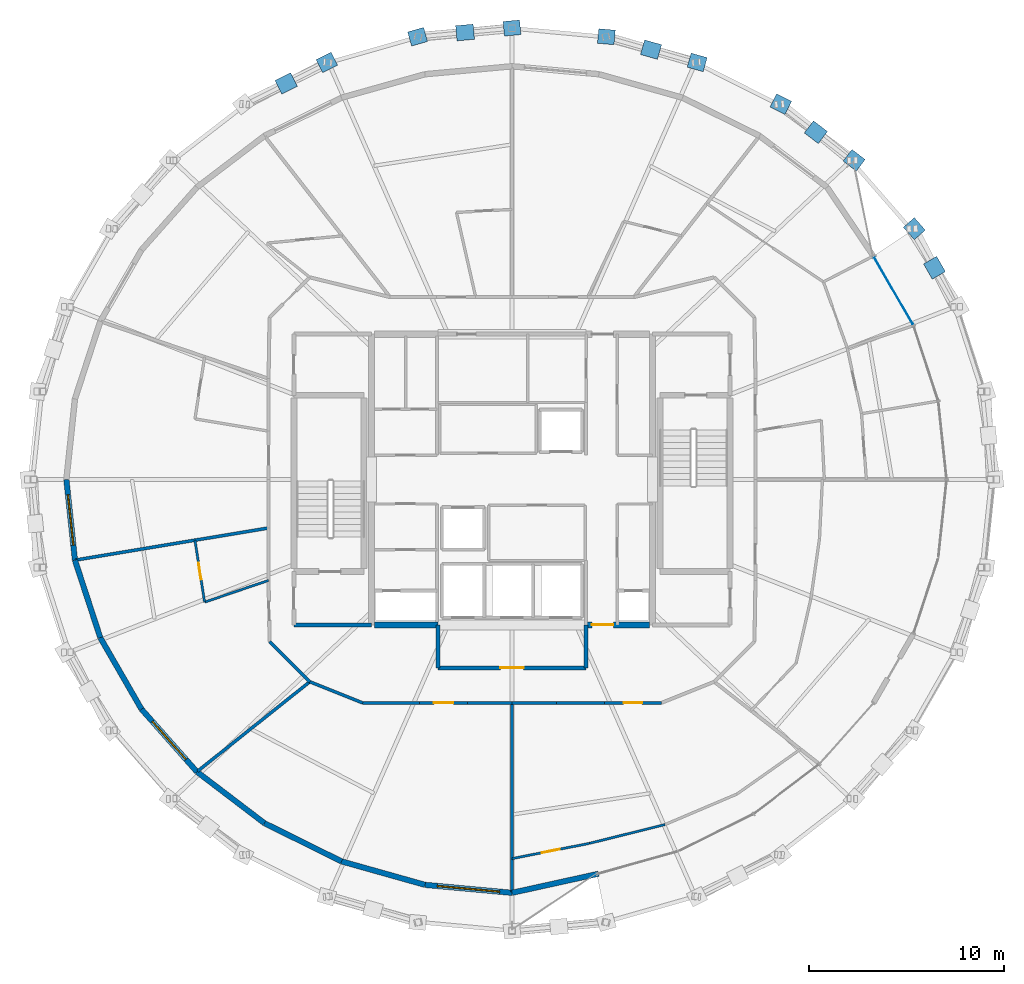
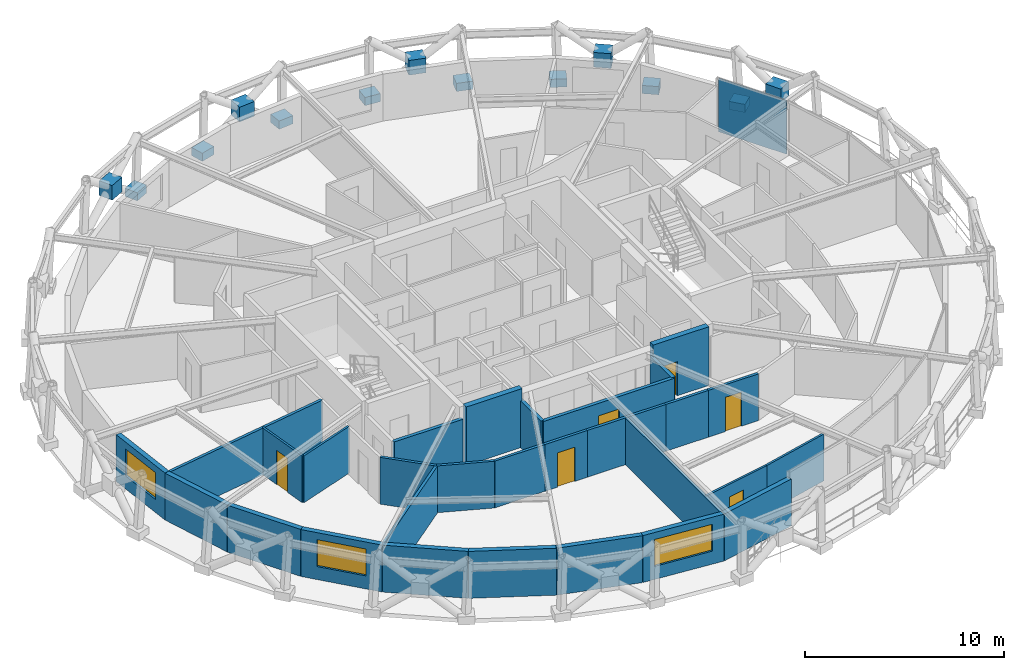
# One storey, part 12 of 17: 30 walls, 14 plates, 6 doors, 3 windows, 9 openings, 1 element without a shape of its own.
"""IFC4 building model written with IfcOpenShell, lengths in metres."""

from ifc_helpers import new_model, si_unit, direction, frame, frame_2d, origin, origin_2d, place, context, subcontext, project, spatial, rectangle, extrude, material, layer, layer_set, type_object, element, fill, aggregate, save


model = new_model("IFC4")

# Units and contexts
model_context = context("Model", 3, precision=1e-05, world=origin(), true_north=direction((0.0, 1.0)))
body_context = subcontext(model_context, "Body", "Model", "MODEL_VIEW")
ifc_project = project(units=[si_unit("LENGTHUNIT", "METRE"), si_unit("AREAUNIT", "SQUARE_METRE"), si_unit("VOLUMEUNIT", "CUBIC_METRE"), si_unit("PLANEANGLEUNIT", "RADIAN"), si_unit("MASSUNIT", "GRAM", prefix="KILO")], contexts=[model_context])

# Site, building, storey
site_placement = place(None, origin())
site = spatial("IfcSite", under=ifc_project, at=site_placement, CompositionType="ELEMENT")
building_placement = place(site_placement, origin())
building = spatial("IfcBuilding", under=site, at=building_placement, Name="Veldorina Hangang Commons", CompositionType="ELEMENT")
storey_placement = place(building_placement, frame((0.0, 0.0, 225.60009765625)))
storey = spatial("IfcBuildingStorey", under=building, at=storey_placement, Name="L58", CompositionType="ELEMENT", Elevation=225.60009765625)

# Curtain wall, plate
ifc_material_1 = material(Name="Glass Low-E Selective", Category="glass")
ifc_layer_1 = layer(ifc_material_1, 0.179931640625)
ifc_layer_set_1 = layer_set([ifc_layer_1], Name="Glass Low-E Selective")
curtain_wall_type = type_object("IfcCurtainWallType", Name="CW-SYS-Z3", PredefinedType="NOTDEFINED", material=ifc_layer_set_1)
curtain_wall_placement = place(storey_placement, origin())
curtain_wall = element("IfcCurtainWall", 1, at=curtain_wall_placement, inside=storey, type_object=curtain_wall_type, Name="L58 unitised curtain wall CW-L58-R2", PredefinedType="NOTDEFINED")
ifc_material_2 = material(Name="Glass Low-E Triple IGU", Category="glass")
ifc_layer_2 = layer(ifc_material_2, 0.0400390625)
ifc_layer_set_2 = layer_set([ifc_layer_2], Name="Glass Low-E Triple IGU")
plate_type_1 = type_object("IfcPlateType", Name="CW-PNL-VIS", PredefinedType="CURTAIN_PANEL", material=ifc_layer_set_2)
plate_1_placement = place(storey_placement, frame((51.55517578125, 33.674560546875, 0.014892578125), z_axis=(0.0, 0.0, 1.0), x_axis=(-0.500105801231, 0.865964310798, 0.0)))
plate_1 = element("IfcPlate", 2, at=plate_1_placement, type_object=plate_type_1, Name="CW-L58-R2 facet 5 glazed vision panel", PredefinedType="CURTAIN_PANEL", context=body_context, shape_type="SweptSolid", body=[
    extrude(rectangle(XDim=3.93701171875, YDim=0.0400390625, at=origin_2d()), origin(), (0.0, 0.0, 1.0), 3.2900390625),
])
aggregate(curtain_wall, [plate_1])

# Plates
ifc_material_3 = material(Name="Steel SM460-TMC", Category="steel")
ifc_layer_3 = layer(ifc_material_3, 0.035888671875)
ifc_layer_set_3 = layer_set([ifc_layer_3], Name="Steel SM460-TMC")
plate_type_2 = type_object("IfcPlateType", Name="PL-STAR-36", PredefinedType="USERDEFINED", material=ifc_layer_set_3)
plate_2_placement = place(storey_placement, frame((53.654052734375, 34.8564453125, 1.3525390625), z_axis=(0.0, 0.0, 1.0), x_axis=(-0.497049685957, 0.867722080905, 0.0)))
element("IfcPlate", 3, at=plate_2_placement, inside=storey, type_object=plate_type_2, Name="L58 diagrid X-crossing star-node gusset plate 02", ObjectType="GUSSET PLATE", PredefinedType="USERDEFINED", context=body_context, shape_type="SweptSolid", body=[
    extrude(rectangle(XDim=0.89990234375, YDim=0.780029296875, at=origin_2d()), origin(), (0.0, 0.0, 1.0), 0.89990234375),
])
for number, where, z_axis, x_axis, name in (
    (4, (52.620849609375, 36.857177734375, -0.090087890625), (0.0, 0.0, 1.0), (-0.660408044351, 0.750906928292, 0.0), "L58 diagrid star-node gusset plate 03"),
    (5, (49.53662109375, 40.364013671875, -0.090087890625), (0.0, 0.0, 1.0), (-0.793926731983, 0.608013440841, 0.0), "L58 diagrid star-node gusset plate 04"),
):
    element("IfcPlate", number, at=place(storey_placement, frame(where, z_axis=z_axis, x_axis=x_axis)), inside=storey, type_object=plate_type_2, Name=name, ObjectType="GUSSET PLATE", PredefinedType="USERDEFINED", context=body_context, shape_type="SweptSolid", body=[
        extrude(rectangle(XDim=0.85009765625, YDim=0.75, at=origin_2d()), origin(), (0.0, 0.0, 1.0), 0.5),
    ])
plate_3_placement = place(storey_placement, frame((47.57666015625, 41.802978515625, 1.356201171875), z_axis=(0.0, 0.0, 1.0), x_axis=(-0.793926731983, 0.608013440841, 0.0)))
element("IfcPlate", 6, at=plate_3_placement, inside=storey, type_object=plate_type_2, Name="L58 diagrid X-crossing star-node gusset plate 04", ObjectType="GUSSET PLATE", PredefinedType="USERDEFINED", context=body_context, shape_type="SweptSolid", body=[
    extrude(rectangle(XDim=0.89990234375, YDim=0.780029296875, at=origin_2d()), origin(), (0.0, 0.0, 1.0), 0.89990234375),
])
for number, where, z_axis, x_axis, name in (
    (7, (45.778564453125, 43.2421875, -0.090087890625), (0.0, 0.0, 1.0), (-0.894864261973, 0.446338383565, 0.0), "L58 diagrid star-node gusset plate 05"),
    (8, (41.49072265625, 45.380859375, -0.090087890625), (0.0, 0.0, 1.0), (-0.962194228931, 0.272364215364, 0.0), "L58 diagrid star-node gusset plate 06"),
):
    element("IfcPlate", number, at=place(storey_placement, frame(where, z_axis=z_axis, x_axis=x_axis)), inside=storey, type_object=plate_type_2, Name=name, ObjectType="GUSSET PLATE", PredefinedType="USERDEFINED", context=body_context, shape_type="SweptSolid", body=[
        extrude(rectangle(XDim=0.85009765625, YDim=0.75, at=origin_2d()), origin(), (0.0, 0.0, 1.0), 0.5),
    ])
plate_4_placement = place(storey_placement, frame((39.126708984375, 46.03662109375, 1.35888671875), z_axis=(0.0, 0.0, 1.0), x_axis=(-0.962194228931, 0.272364215364, 0.0)))
element("IfcPlate", 9, at=plate_4_placement, inside=storey, type_object=plate_type_2, Name="L58 diagrid X-crossing star-node gusset plate 06", ObjectType="GUSSET PLATE", PredefinedType="USERDEFINED", context=body_context, shape_type="SweptSolid", body=[
    extrude(rectangle(XDim=0.89990234375, YDim=0.780029296875, at=origin_2d()), origin(), (0.0, 0.0, 1.0), 0.89990234375),
])
for number, where, z_axis, x_axis, name in (
    (10, (36.83837890625, 46.69775390625, -0.090087890625), (0.0, 0.0, 1.0), (-0.995803330418, 0.091518998724, 0.0), "L58 diagrid star-node gusset plate 07"),
    (11, (32.0, 47.142333984375, -0.090087890625), (0.0, 0.0, 1.0), (-0.995803330418, -0.091518998724, 0.0), "L58 diagrid star-node gusset plate 08"),
):
    element("IfcPlate", number, at=place(storey_placement, frame(where, z_axis=z_axis, x_axis=x_axis)), inside=storey, type_object=plate_type_2, Name=name, ObjectType="GUSSET PLATE", PredefinedType="USERDEFINED", context=body_context, shape_type="SweptSolid", body=[
        extrude(rectangle(XDim=0.85009765625, YDim=0.75, at=origin_2d()), origin(), (0.0, 0.0, 1.0), 0.5),
    ])
plate_5_placement = place(storey_placement, frame((29.593994140625, 46.912841796875, 1.359619140625), z_axis=(0.0, 0.0, 1.0), x_axis=(-0.995803330418, -0.091518998724, 0.0)))
element("IfcPlate", 12, at=plate_5_placement, inside=storey, type_object=plate_type_2, Name="L58 diagrid X-crossing star-node gusset plate 08", ObjectType="GUSSET PLATE", PredefinedType="USERDEFINED", context=body_context, shape_type="SweptSolid", body=[
    extrude(rectangle(XDim=0.89990234375, YDim=0.780029296875, at=origin_2d()), origin(), (0.0, 0.0, 1.0), 0.89990234375),
])
for number, where, z_axis, x_axis, name in (
    (13, (27.16162109375, 46.69775390625, -0.090087890625), (0.0, 0.0, 1.0), (-0.962194228931, -0.272364215364, 0.0), "L58 diagrid star-node gusset plate 09"),
    (14, (22.50927734375, 45.380859375, -0.090087890625), (0.0, 0.0, 1.0), (-0.894864261973, -0.446338383565, 0.0), "L58 diagrid star-node gusset plate 10"),
):
    element("IfcPlate", number, at=place(storey_placement, frame(where, z_axis=z_axis, x_axis=x_axis)), inside=storey, type_object=plate_type_2, Name=name, ObjectType="GUSSET PLATE", PredefinedType="USERDEFINED", context=body_context, shape_type="SweptSolid", body=[
        extrude(rectangle(XDim=0.85009765625, YDim=0.75, at=origin_2d()), origin(), (0.0, 0.0, 1.0), 0.5),
    ])
plate_6_placement = place(storey_placement, frame((20.430419921875, 44.3017578125, 1.35791015625), z_axis=(0.0, 0.0, 1.0), x_axis=(-0.894864261973, -0.446338383565, 0.0)))
element("IfcPlate", 15, at=plate_6_placement, inside=storey, type_object=plate_type_2, Name="L58 diagrid X-crossing star-node gusset plate 10", ObjectType="GUSSET PLATE", PredefinedType="USERDEFINED", context=body_context, shape_type="SweptSolid", body=[
    extrude(rectangle(XDim=0.89990234375, YDim=0.780029296875, at=origin_2d()), origin(), (0.0, 0.0, 1.0), 0.89990234375),
])

# Wall
ifc_material_4 = material(Name="Concrete C50/60", Category="concrete")
ifc_layer_4 = layer(ifc_material_4, 0.320068359375)
ifc_layer_set_4 = layer_set([ifc_layer_4], Name="Concrete C50/60")
wall_type_1 = type_object("IfcWallType", Name="CW-RC320-C50", PredefinedType="SHEAR", material=ifc_layer_set_4)
wall_1_placement = place(storey_placement, frame((24.9599609375, 16.550048828125, 0.0), z_axis=(0.0, 0.0, 1.0), x_axis=(1.0, 0.0, 0.0)))
element("IfcWall", 16, at=wall_1_placement, inside=storey, type_object=wall_type_1, Name="L58 south-west core shear wall", PredefinedType="SHEAR", context=body_context, shape_type="SweptSolid", body=[
    extrude(rectangle(XDim=3.239990234375, YDim=0.320068359375, at=frame_2d((1.6201171875, 0.0))), origin(), (0.0, 0.0, 1.0), 3.599853515625),
])

# Wall, opening, door
wall_2_placement = place(storey_placement, frame((35.800048828125, 16.550048828125, 0.0), z_axis=(0.0, 0.0, 1.0), x_axis=(1.0, 0.0, 0.0)))
wall_2 = element("IfcWall", 17, at=wall_2_placement, inside=storey, type_object=wall_type_1, Name="L58 south-east core shear wall", PredefinedType="SHEAR", context=body_context, shape_type="SweptSolid", body=[
    extrude(rectangle(XDim=3.239990234375, YDim=0.320068359375, at=frame_2d((1.6201171875, 0.0))), origin(), (0.0, 0.0, 1.0), 3.599853515625),
])
opening_1_placement = place(wall_2_placement, frame((0.300048828125, 0.0, 0.0)))
opening_1 = element("IfcOpeningElement", 18, at=opening_1_placement, cuts=wall_2, Name="Opening D-08", PredefinedType="OPENING", context=body_context, shape_type="SweptSolid", body=[
    extrude(rectangle(XDim=1.10009765625, YDim=2.10009765625, at=frame_2d((0.550048828125, 1.050048828125))), frame((0.0, 0.169921875, 0.0), z_axis=(0.0, -1.0, 0.0), x_axis=(1.0, 0.0, 0.0)), (0.0, 0.0, 1.0), 0.340087890625),
])
ifc_material_5 = material(Name="Steel Fire-Rated Smoke Seal", Category="steel")
door_type_1 = type_object("IfcDoorType", Name="DR-FIRE-1100", OperationType="SINGLE_SWING_RIGHT", PredefinedType="DOOR", material=ifc_material_5)
door_1_placement = place(opening_1_placement, origin())
door_1 = element("IfcDoor", 19, at=door_1_placement, inside=storey, type_object=door_type_1, Name="L58 central lift lobby south corridor door", OperationType="SINGLE_SWING_RIGHT", OverallHeight=2.10009765625, OverallWidth=1.10009765625, PredefinedType="DOOR", context=body_context, shape_type="SweptSolid", body=[
    extrude(rectangle(XDim=1.10009765625, YDim=2.10009765625, at=frame_2d((0.550048828125, 1.050048828125))), frame((0.0, 0.02490234375, 0.0), z_axis=(0.0, -1.0, 0.0), x_axis=(1.0, 0.0, 0.0)), (0.0, 0.0, 1.0), 0.050048828125),
])
fill(opening_1, door_1)

# Wall, opening, window
ifc_material_6 = material(Name="Stone Roman Travertine", Category="masonry")
ifc_layer_5 = layer(ifc_material_6, 0.280029296875)
ifc_layer_set_5 = layer_set([ifc_layer_5], Name="Stone Roman Travertine")
wall_type_2 = type_object("IfcWallType", Name="EW-TRAV-280", PredefinedType="STANDARD", material=ifc_layer_set_5)
wall_3_placement = place(storey_placement, frame((9.159423828125, 24.0, 0.0), z_axis=(0.0, 0.0, 1.0), x_axis=(0.105626616613, -0.99440586174, 0.0)))
wall_3 = element("IfcWall", 20, at=wall_3_placement, inside=storey, type_object=wall_type_2, Name="L58 travertine facade wall 16", PredefinedType="STANDARD", context=body_context, shape_type="SweptSolid", body=[
    extrude(rectangle(XDim=4.15576171875, YDim=0.280029296875, at=frame_2d((2.077880859375, 0.0))), origin(), (0.0, 0.0, 1.0), 2.8798828125),
])
opening_2_placement = place(wall_3_placement, frame((0.77783203125, 0.0, 0.800048828125)))
opening_2 = element("IfcOpeningElement", 21, at=opening_2_placement, cuts=wall_3, Name="Opening W-02", PredefinedType="OPENING", context=body_context, shape_type="SweptSolid", body=[
    extrude(rectangle(XDim=2.60009765625, YDim=1.64990234375, at=frame_2d((1.300048828125, 0.824951171875))), frame((0.0, 0.14990234375, 0.0), z_axis=(0.0, -1.0, 0.0), x_axis=(1.0, 0.0, 0.0)), (0.0, 0.0, 1.0), 0.300048828125),
])
window_type_1 = type_object("IfcWindowType", Name="WIN-TWR-2600", PartitioningType="SINGLE_PANEL", PredefinedType="WINDOW", material=ifc_material_2)
window_1_placement = place(opening_2_placement, origin())
window_1 = element("IfcWindow", 22, at=window_1_placement, inside=storey, type_object=window_type_1, Name="L58 facade window 16", OverallHeight=1.64990234375, OverallWidth=2.60009765625, PartitioningType="SINGLE_PANEL", PredefinedType="WINDOW", context=body_context, shape_type="SweptSolid", body=[
    extrude(rectangle(XDim=2.60009765625, YDim=1.64990234375, at=frame_2d((1.300048828125, 0.824951171875))), frame((0.0, 0.030029296875, 0.0), z_axis=(0.0, -1.0, 0.0), x_axis=(1.0, 0.0, 0.0)), (0.0, 0.0, 1.0), 0.06005859375),
])
fill(opening_2, window_1)

# Walls
wall_4_placement = place(storey_placement, frame((9.598388671875, 19.867431640625, 0.0), z_axis=(0.0, 0.0, 1.0), x_axis=(0.310844369952, -0.950460823848, 0.0)))
element("IfcWall", 23, at=wall_4_placement, inside=storey, type_object=wall_type_2, Name="L58 travertine facade wall 17", PredefinedType="STANDARD", context=body_context, shape_type="SweptSolid", body=[
    extrude(rectangle(XDim=4.1806640625, YDim=0.280029296875, at=frame_2d((2.09033203125, 0.0))), origin(), (0.0, 0.0, 1.0), 2.8798828125),
])
wall_5_placement = place(storey_placement, frame((10.89794921875, 15.893798828125, 0.0), z_axis=(0.0, 0.0, 1.0), x_axis=(0.499382401046, -0.866381681204, 0.0)))
element("IfcWall", 24, at=wall_5_placement, inside=storey, type_object=wall_type_2, Name="L58 travertine facade wall 18", PredefinedType="STANDARD", context=body_context, shape_type="SweptSolid", body=[
    extrude(rectangle(XDim=4.226806640625, YDim=0.280029296875, at=frame_2d((2.11328125, 0.0))), origin(), (0.0, 0.0, 1.0), 2.8798828125),
])

# Wall, opening, window
wall_6_placement = place(storey_placement, frame((13.0087890625, 12.231689453125, 0.0), z_axis=(0.0, 0.0, 1.0), x_axis=(0.662704142497, -0.748881312037, 0.0)))
wall_6 = element("IfcWall", 25, at=wall_6_placement, inside=storey, type_object=wall_type_2, Name="L58 travertine facade wall 19", PredefinedType="STANDARD", context=body_context, shape_type="SweptSolid", body=[
    extrude(rectangle(XDim=4.286376953125, YDim=0.280029296875, at=frame_2d((2.14306640625, 0.0))), origin(), (0.0, 0.0, 1.0), 2.8798828125),
])
opening_3_placement = place(wall_6_placement, frame((0.84326171875, 0.0, 0.800048828125)))
opening_3 = element("IfcOpeningElement", 26, at=opening_3_placement, cuts=wall_6, Name="Opening W-02", PredefinedType="OPENING", context=body_context, shape_type="SweptSolid", body=[
    extrude(rectangle(XDim=2.60009765625, YDim=1.64990234375, at=frame_2d((1.300048828125, 0.824951171875))), frame((0.0, 0.14990234375, 0.0), z_axis=(0.0, -1.0, 0.0), x_axis=(1.0, 0.0, 0.0)), (0.0, 0.0, 1.0), 0.300048828125),
])
window_2_placement = place(opening_3_placement, origin())
window_2 = element("IfcWindow", 27, at=window_2_placement, inside=storey, type_object=window_type_1, Name="L58 facade window 19", OverallHeight=1.64990234375, OverallWidth=2.60009765625, PartitioningType="SINGLE_PANEL", PredefinedType="WINDOW", context=body_context, shape_type="SweptSolid", body=[
    extrude(rectangle(XDim=2.60009765625, YDim=1.64990234375, at=frame_2d((1.300048828125, 0.824951171875))), frame((0.0, 0.030029296875, 0.0), z_axis=(0.0, -1.0, 0.0), x_axis=(1.0, 0.0, 0.0)), (0.0, 0.0, 1.0), 0.06005859375),
])
fill(opening_3, window_2)

# Walls
wall_7_placement = place(storey_placement, frame((15.849365234375, 9.021728515625, 0.0), z_axis=(0.0, 0.0, 1.0), x_axis=(0.795722836513, -0.605660934394, 0.0)))
element("IfcWall", 28, at=wall_7_placement, inside=storey, type_object=wall_type_2, Name="L58 travertine facade wall 20", PredefinedType="STANDARD", context=body_context, shape_type="SweptSolid", body=[
    extrude(rectangle(XDim=4.349365234375, YDim=0.280029296875, at=frame_2d((2.1748046875, 0.0))), origin(), (0.0, 0.0, 1.0), 2.8798828125),
])
wall_8_placement = place(storey_placement, frame((19.310302734375, 6.387451171875, 0.0), z_axis=(0.0, 0.0, 1.0), x_axis=(0.89596177971, -0.44413116227, 0.0)))
element("IfcWall", 29, at=wall_8_placement, inside=storey, type_object=wall_type_2, Name="L58 travertine facade wall 21", PredefinedType="STANDARD", context=body_context, shape_type="SweptSolid", body=[
    extrude(rectangle(XDim=4.407470703125, YDim=0.280029296875, at=frame_2d((2.20361328125, 0.0))), origin(), (0.0, 0.0, 1.0), 2.8798828125),
])
wall_9_placement = place(storey_placement, frame((23.25927734375, 4.429931640625, 0.0), z_axis=(0.0, 0.0, 1.0), x_axis=(0.96263574912, -0.27079958367, 0.0)))
element("IfcWall", 30, at=wall_9_placement, inside=storey, type_object=wall_type_2, Name="L58 travertine facade wall 22", PredefinedType="STANDARD", context=body_context, shape_type="SweptSolid", body=[
    extrude(rectangle(XDim=4.450927734375, YDim=0.280029296875, at=frame_2d((2.2255859375, 0.0))), origin(), (0.0, 0.0, 1.0), 2.8798828125),
])

# Wall, opening, window
wall_10_placement = place(storey_placement, frame((27.5439453125, 3.224609375, 0.0), z_axis=(0.0, 0.0, 1.0), x_axis=(0.995855104574, -0.090953893235, 0.0)))
wall_10 = element("IfcWall", 31, at=wall_10_placement, inside=storey, type_object=wall_type_2, Name="L58 travertine facade wall 23", PredefinedType="STANDARD", context=body_context, shape_type="SweptSolid", body=[
    extrude(rectangle(XDim=4.474609375, YDim=0.280029296875, at=frame_2d((2.2373046875, 0.0))), origin(), (0.0, 0.0, 1.0), 2.8798828125),
])
opening_4_placement = place(wall_10_placement, frame((0.63720703125, 0.0, 0.800048828125)))
opening_4 = element("IfcOpeningElement", 32, at=opening_4_placement, cuts=wall_10, Name="Opening W-01", PredefinedType="OPENING", context=body_context, shape_type="SweptSolid", body=[
    extrude(rectangle(XDim=3.199951171875, YDim=1.64990234375, at=frame_2d((1.60009765625, 0.824951171875))), frame((0.0, 0.14990234375, 0.0), z_axis=(0.0, -1.0, 0.0), x_axis=(1.0, 0.0, 0.0)), (0.0, 0.0, 1.0), 0.300048828125),
])
window_type_2 = type_object("IfcWindowType", Name="WIN-TWR-3200", PartitioningType="SINGLE_PANEL", PredefinedType="WINDOW", material=ifc_material_2)
window_3_placement = place(opening_4_placement, origin())
window_3 = element("IfcWindow", 33, at=window_3_placement, inside=storey, type_object=window_type_2, Name="L58 facade window 23", OverallHeight=1.64990234375, OverallWidth=3.199951171875, PartitioningType="SINGLE_PANEL", PredefinedType="WINDOW", context=body_context, shape_type="SweptSolid", body=[
    extrude(rectangle(XDim=3.199951171875, YDim=1.64990234375, at=frame_2d((1.60009765625, 0.824951171875))), frame((0.0, 0.030029296875, 0.0), z_axis=(0.0, -1.0, 0.0), x_axis=(1.0, 0.0, 0.0)), (0.0, 0.0, 1.0), 0.06005859375),
])
fill(opening_4, window_3)

# Walls
wall_11_placement = place(storey_placement, frame((32.0, 2.817626953125, 0.0), z_axis=(0.0, 0.0, 1.0), x_axis=(0.976642662205, 0.214869984784, 0.0)))
element("IfcWall", 34, at=wall_11_placement, inside=storey, type_object=wall_type_2, Name="L58 travertine facade wall 24", PredefinedType="STANDARD", context=body_context, shape_type="SweptSolid", body=[
    extrude(rectangle(XDim=4.542724609375, YDim=0.280029296875, at=frame_2d((2.271484375, 0.0))), origin(), (0.0, 0.0, 1.0), 2.8798828125),
])
ifc_material_7 = material(Name="Gypsum Fire-Rated Twin Stud Wall", Category="gypsum")
ifc_layer_6 = layer(ifc_material_7, 0.159912109375)
ifc_layer_set_6 = layer_set([ifc_layer_6], Name="Gypsum Fire-Rated Twin Stud Wall")
wall_type_3 = type_object("IfcWallType", Name="WL-FIRE-160", PredefinedType="SOLIDWALL", material=ifc_layer_set_6)
wall_12_placement = place(storey_placement, frame((19.5732421875, 15.69677734375, 0.0), z_axis=(0.0, 0.0, 1.0), x_axis=(0.707106781187, -0.707106781187, 0.0)))
element("IfcWall", 35, at=wall_12_placement, inside=storey, type_object=wall_type_3, Name="L58 Compact collar outer wall 19 073", PredefinedType="SOLIDWALL", context=body_context, shape_type="SweptSolid", body=[
    extrude(rectangle(XDim=2.915771484375, YDim=0.159912109375, at=frame_2d((1.4580078125, 0.0))), origin(), (0.0, 0.0, 1.0), 2.869873046875),
])
wall_13_placement = place(storey_placement, frame((21.635009765625, 13.635009765625, 0.0), z_axis=(0.0, 0.0, 1.0), x_axis=(0.92856882165, -0.371160266542, 0.0)))
element("IfcWall", 36, at=wall_13_placement, inside=storey, type_object=wall_type_3, Name="L58 Compact collar outer wall 20 074", PredefinedType="SOLIDWALL", context=body_context, shape_type="SweptSolid", body=[
    extrude(rectangle(XDim=2.923095703125, YDim=0.159912109375, at=frame_2d((1.46142578125, 0.0))), origin(), (0.0, 0.0, 1.0), 2.869873046875),
])
wall_14_placement = place(storey_placement, frame((24.349365234375, 12.550048828125, 0.0), z_axis=(0.0, 0.0, 1.0), x_axis=(1.0, 0.0, 0.0)))
element("IfcWall", 37, at=wall_14_placement, inside=storey, type_object=wall_type_3, Name="L58 Compact collar outer wall 21 075", PredefinedType="SOLIDWALL", context=body_context, shape_type="SweptSolid", body=[
    extrude(rectangle(XDim=2.907958984375, YDim=0.159912109375, at=frame_2d((1.4541015625, 0.0))), origin(), (0.0, 0.0, 1.0), 2.869873046875),
])

# Wall, opening, door
wall_15_placement = place(storey_placement, frame((27.25732421875, 12.550048828125, 0.0), z_axis=(0.0, 0.0, 1.0), x_axis=(1.0, 0.0, 0.0)))
wall_15 = element("IfcWall", 38, at=wall_15_placement, inside=storey, type_object=wall_type_3, Name="L58 Compact collar outer wall 22 076", PredefinedType="SOLIDWALL", context=body_context, shape_type="SweptSolid", body=[
    extrude(rectangle(XDim=2.465087890625, YDim=0.159912109375, at=frame_2d((1.232421875, 0.0))), origin(), (0.0, 0.0, 1.0), 2.869873046875),
])
opening_5_placement = place(wall_15_placement, frame((0.732666015625, 0.0, 0.0)))
opening_5 = element("IfcOpeningElement", 39, at=opening_5_placement, cuts=wall_15, Name="Opening D-05", PredefinedType="OPENING", context=body_context, shape_type="SweptSolid", body=[
    extrude(rectangle(XDim=1.0, YDim=2.10009765625, at=frame_2d((0.5, 1.050048828125))), frame((0.0, 0.08984375, 0.0), z_axis=(0.0, -1.0, 0.0), x_axis=(1.0, 0.0, 0.0)), (0.0, 0.0, 1.0), 0.179931640625),
])
ifc_material_8 = material(Name="Timber Solid Core Acoustic", Category="wood")
door_type_2 = type_object("IfcDoorType", Name="DR-INT-1000", OperationType="SINGLE_SWING_RIGHT", PredefinedType="DOOR", material=ifc_material_8)
door_2_placement = place(opening_5_placement, origin())
door_2 = element("IfcDoor", 40, at=door_2_placement, inside=storey, type_object=door_type_2, Name="L58 Floor Study Room 8 door 042", OperationType="SINGLE_SWING_RIGHT", OverallHeight=2.10009765625, OverallWidth=1.0, PredefinedType="DOOR", context=body_context, shape_type="SweptSolid", body=[
    extrude(rectangle(XDim=1.0, YDim=2.10009765625, at=frame_2d((0.5, 1.050048828125))), frame((0.0, 0.02490234375, 0.0), z_axis=(0.0, -1.0, 0.0), x_axis=(1.0, 0.0, 0.0)), (0.0, 0.0, 1.0), 0.050048828125),
])
fill(opening_5, door_2)

# Walls
for number, where, z_axis, x_axis, name in (
    (41, (29.722412109375, 12.550048828125, 0.0), (0.0, 0.0, 1.0), (1.0, 0.0, 0.0), "L58 Compact collar outer wall 23 077"),
    (42, (32.0, 12.550048828125, 0.0), (0.0, 0.0, 1.0), (1.0, 0.0, 0.0), "L58 Compact collar outer wall 24 078"),
):
    element("IfcWall", number, at=place(storey_placement, frame(where, z_axis=z_axis, x_axis=x_axis)), inside=storey, type_object=wall_type_3, Name=name, PredefinedType="SOLIDWALL", context=body_context, shape_type="SweptSolid", body=[
        extrude(rectangle(XDim=2.277587890625, YDim=0.159912109375, at=frame_2d((1.138671875, 0.0))), origin(), (0.0, 0.0, 1.0), 2.869873046875),
    ])
wall_16_placement = place(storey_placement, frame((34.277587890625, 12.550048828125, 0.0), z_axis=(0.0, 0.0, 1.0), x_axis=(1.0, 0.0, 0.0)))
element("IfcWall", 43, at=wall_16_placement, inside=storey, type_object=wall_type_3, Name="L58 Compact collar outer wall 25 079", PredefinedType="SOLIDWALL", context=body_context, shape_type="SweptSolid", body=[
    extrude(rectangle(XDim=2.465087890625, YDim=0.159912109375, at=frame_2d((1.232421875, 0.0))), origin(), (0.0, 0.0, 1.0), 2.869873046875),
])

# Wall, opening, door
wall_17_placement = place(storey_placement, frame((36.74267578125, 12.550048828125, 0.0), z_axis=(0.0, 0.0, 1.0), x_axis=(1.0, 0.0, 0.0)))
wall_17 = element("IfcWall", 44, at=wall_17_placement, inside=storey, type_object=wall_type_3, Name="L58 Compact collar outer wall 26 080", PredefinedType="SOLIDWALL", context=body_context, shape_type="SweptSolid", body=[
    extrude(rectangle(XDim=2.907958984375, YDim=0.159912109375, at=frame_2d((1.4541015625, 0.0))), origin(), (0.0, 0.0, 1.0), 2.869873046875),
])
opening_6_placement = place(wall_17_placement, frame((0.97900390625, 0.0, 0.0)))
opening_6 = element("IfcOpeningElement", 45, at=opening_6_placement, cuts=wall_17, Name="Opening D-02", PredefinedType="OPENING", context=body_context, shape_type="SweptSolid", body=[
    extrude(rectangle(XDim=0.949951171875, YDim=2.10009765625, at=frame_2d((0.47509765625, 1.050048828125))), frame((0.0, 0.08984375, 0.0), z_axis=(0.0, -1.0, 0.0), x_axis=(1.0, 0.0, 0.0)), (0.0, 0.0, 1.0), 0.179931640625),
])
door_type_3 = type_object("IfcDoorType", Name="DR-INT-950", OperationType="SINGLE_SWING_LEFT", PredefinedType="DOOR", material=ifc_material_8)
door_3_placement = place(opening_6_placement, origin())
door_3 = element("IfcDoor", 46, at=door_3_placement, inside=storey, type_object=door_type_3, Name="L58 Linen drying store door 043", OperationType="SINGLE_SWING_LEFT", OverallHeight=2.10009765625, OverallWidth=0.949951171875, PredefinedType="DOOR", context=body_context, shape_type="SweptSolid", body=[
    extrude(rectangle(XDim=0.949951171875, YDim=2.10009765625, at=frame_2d((0.47509765625, 1.050048828125))), frame((0.0, 0.02490234375, 0.0), z_axis=(0.0, -1.0, 0.0), x_axis=(1.0, 0.0, 0.0)), (0.0, 0.0, 1.0), 0.050048828125),
])
fill(opening_6, door_3)

# Walls
wall_18_placement = place(storey_placement, frame((19.52001953125, 21.517578125, 0.0), z_axis=(0.0, 0.0, 1.0), x_axis=(-0.986451224461, -0.164054813277, 0.0)))
element("IfcWall", 47, at=wall_18_placement, inside=storey, type_object=wall_type_3, Name="L58 Unit party wall 17 113", PredefinedType="SOLIDWALL", context=body_context, shape_type="SweptSolid", body=[
    extrude(rectangle(XDim=10.0078125, YDim=0.159912109375, at=frame_2d((5.00390625, 0.0))), origin(), (0.0, 0.0, 1.0), 2.869873046875),
])
wall_19_placement = place(storey_placement, frame((21.635009765625, 13.635009765625, 0.0), z_axis=(0.0, 0.0, 1.0), x_axis=(-0.781878901848, -0.623430335198, 0.0)))
element("IfcWall", 48, at=wall_19_placement, inside=storey, type_object=wall_type_3, Name="L58 Unit party wall 20 116", PredefinedType="SOLIDWALL", context=body_context, shape_type="SweptSolid", body=[
    extrude(rectangle(XDim=7.349609375, YDim=0.159912109375, at=frame_2d((3.6748046875, 0.0))), origin(), (0.0, 0.0, 1.0), 2.869873046875),
])
wall_20_placement = place(storey_placement, frame((32.0, 12.550048828125, 0.0), z_axis=(0.0, 0.0, 1.0), x_axis=(0.0, -1.0, 0.0)))
element("IfcWall", 49, at=wall_20_placement, inside=storey, type_object=wall_type_3, Name="L58 Unit party wall 24 117", PredefinedType="SOLIDWALL", context=body_context, shape_type="SweptSolid", body=[
    extrude(rectangle(XDim=9.682373046875, YDim=0.159912109375, at=frame_2d((4.84130859375, 0.0))), origin(), (0.0, 0.0, 1.0), 2.869873046875),
])
ifc_material_9 = material(Name="Concrete Blockwork Fire Wall C30/37", Category="masonry")
ifc_layer_7 = layer(ifc_material_9, 0.199951171875)
ifc_layer_set_7 = layer_set([ifc_layer_7], Name="Concrete Blockwork Fire Wall C30/37")
wall_type_4 = type_object("IfcWallType", Name="WL-FIRE-200", PredefinedType="SOLIDWALL", material=ifc_layer_set_7)
wall_21_placement = place(storey_placement, frame((20.820068359375, 16.550048828125, 0.0), z_axis=(0.0, 0.0, 1.0), x_axis=(1.0, 0.0, 0.0)))
element("IfcWall", 50, at=wall_21_placement, inside=storey, type_object=wall_type_4, Name="L58 West vestibule south wall 002", PredefinedType="SOLIDWALL", context=body_context, shape_type="SweptSolid", body=[
    extrude(rectangle(XDim=3.97998046875, YDim=0.199951171875, at=frame_2d((1.989990234375, 0.0))), origin(), (0.0, 0.0, 1.0), 2.869873046875),
])
for number, where, z_axis, x_axis, name in (
    (51, (28.199951171875, 14.35009765625, 0.0), (0.0, 0.0, 1.0), (0.0, 1.0, 0.0), "L58 FF lobby west wall 012"),
    (52, (35.800048828125, 14.35009765625, 0.0), (0.0, 0.0, 1.0), (0.0, 1.0, 0.0), "L58 FF lobby east wall 013"),
):
    element("IfcWall", number, at=place(storey_placement, frame(where, z_axis=z_axis, x_axis=x_axis)), inside=storey, type_object=wall_type_4, Name=name, PredefinedType="SOLIDWALL", context=body_context, shape_type="SweptSolid", body=[
        extrude(rectangle(XDim=2.199951171875, YDim=0.199951171875, at=frame_2d((1.10009765625, 0.0))), origin(), (0.0, 0.0, 1.0), 2.869873046875),
    ])

# Wall, opening, door
wall_22_placement = place(storey_placement, frame((28.199951171875, 14.35009765625, 0.0), z_axis=(0.0, 0.0, 1.0), x_axis=(1.0, 0.0, 0.0)))
wall_22 = element("IfcWall", 53, at=wall_22_placement, inside=storey, type_object=wall_type_4, Name="L58 FF lobby south wall 014", PredefinedType="SOLIDWALL", context=body_context, shape_type="SweptSolid", body=[
    extrude(rectangle(XDim=7.60009765625, YDim=0.199951171875, at=frame_2d((3.800048828125, 0.0))), origin(), (0.0, 0.0, 1.0), 2.869873046875),
])
opening_7_placement = place(wall_22_placement, frame((3.199951171875, 0.0, 0.0)))
opening_7 = element("IfcOpeningElement", 54, at=opening_7_placement, cuts=wall_22, Name="Opening D-09", PredefinedType="OPENING", context=body_context, shape_type="SweptSolid", body=[
    extrude(rectangle(XDim=1.199951171875, YDim=2.10009765625, at=frame_2d((0.60009765625, 1.050048828125))), frame((0.0, 0.10986328125, 0.0), z_axis=(0.0, -1.0, 0.0), x_axis=(1.0, 0.0, 0.0)), (0.0, 0.0, 1.0), 0.219970703125),
])
ifc_material_10 = material(Name="Steel Fire-Rated Corridor Door", Category="steel")
door_type_4 = type_object("IfcDoorType", Name="DR-FIRE-1200", OperationType="SINGLE_SWING_LEFT", PredefinedType="DOOR", material=ifc_material_10)
door_4_placement = place(opening_7_placement, origin())
door_4 = element("IfcDoor", 55, at=door_4_placement, inside=storey, type_object=door_type_4, Name="L58 FF lobby south corridor door 005", OperationType="SINGLE_SWING_LEFT", OverallHeight=2.10009765625, OverallWidth=1.199951171875, PredefinedType="DOOR", context=body_context, shape_type="SweptSolid", body=[
    extrude(rectangle(XDim=1.199951171875, YDim=2.10009765625, at=frame_2d((0.60009765625, 1.050048828125))), frame((0.0, 0.02490234375, 0.0), z_axis=(0.0, -1.0, 0.0), x_axis=(1.0, 0.0, 0.0)), (0.0, 0.0, 1.0), 0.050048828125),
])
fill(opening_7, door_4)

ifc_material_11 = material(Name="Gypsum Acoustic Stud Partition", Category="gypsum")
ifc_layer_8 = layer(ifc_material_11, 0.1201171875)
ifc_layer_set_8 = layer_set([ifc_layer_8], Name="Gypsum Acoustic Stud Partition")
wall_type_5 = type_object("IfcWallType", Name="WL-PART-120", PredefinedType="PARTITIONING", material=ifc_layer_set_8)
wall_23_placement = place(storey_placement, frame((15.749755859375, 20.890625, 0.0), z_axis=(0.0, 0.0, 1.0), x_axis=(0.153660860634, -0.988123646063, 0.0)))
wall_23 = element("IfcWall", 56, at=wall_23_placement, inside=storey, type_object=wall_type_5, Name="L58 Studio 7 bath front wall 114", PredefinedType="PARTITIONING", context=body_context, shape_type="SweptSolid", body=[
    extrude(rectangle(XDim=3.214111328125, YDim=0.1201171875, at=frame_2d((1.60693359375, 0.0))), origin(), (0.0, 0.0, 1.0), 2.869873046875),
])
opening_8_placement = place(wall_23_placement, frame((1.177001953125, 0.0, 0.0)))
opening_8 = element("IfcOpeningElement", 57, at=opening_8_placement, cuts=wall_23, Name="Opening D-01", PredefinedType="OPENING", context=body_context, shape_type="SweptSolid", body=[
    extrude(rectangle(XDim=0.860107421875, YDim=2.10009765625, at=frame_2d((0.43017578125, 1.050048828125))), frame((0.0, 0.070068359375, 0.0), z_axis=(0.0, -1.0, 0.0), x_axis=(1.0, 0.0, 0.0)), (0.0, 0.0, 1.0), 0.14013671875),
])
ifc_material_12 = material(Name="Timber Moisture-Resistant Core", Category="wood")
door_type_5 = type_object("IfcDoorType", Name="DR-WET-860", OperationType="SINGLE_SWING_LEFT", PredefinedType="DOOR", material=ifc_material_12)
door_5_placement = place(opening_8_placement, origin())
door_5 = element("IfcDoor", 58, at=door_5_placement, inside=storey, type_object=door_type_5, Name="L58 Studio 7 bathroom door 040", OperationType="SINGLE_SWING_RIGHT", OverallHeight=2.10009765625, OverallWidth=0.860107421875, PredefinedType="DOOR", context=body_context, shape_type="SweptSolid", body=[
    extrude(rectangle(XDim=0.860107421875, YDim=2.10009765625, at=frame_2d((0.43017578125, 1.050048828125))), frame((0.0, 0.02490234375, 0.0), z_axis=(0.0, -1.0, 0.0), x_axis=(1.0, 0.0, 0.0)), (0.0, 0.0, 1.0), 0.050048828125),
])
fill(opening_8, door_5)

# Wall
wall_24_placement = place(storey_placement, frame((19.52001953125, 18.83056640625, 0.0), z_axis=(0.0, 0.0, 1.0), x_axis=(-0.946596325492, -0.322421147826, 0.0)))
element("IfcWall", 59, at=wall_24_placement, inside=storey, type_object=wall_type_5, Name="L58 Studio 7 bath side wall 115", PredefinedType="PARTITIONING", context=body_context, shape_type="SweptSolid", body=[
    extrude(rectangle(XDim=3.461181640625, YDim=0.1201171875, at=frame_2d((1.73046875, 0.0))), origin(), (0.0, 0.0, 1.0), 2.869873046875),
])

# Wall, opening, door
wall_25_placement = place(storey_placement, frame((32.0, 4.5693359375, 0.0), z_axis=(0.0, 0.0, 1.0), x_axis=(0.98108276504, 0.19358876037, 0.0)))
wall_25 = element("IfcWall", 60, at=wall_25_placement, inside=storey, type_object=wall_type_5, Name="L58 Laundry split 0 118", PredefinedType="PARTITIONING", context=body_context, shape_type="SweptSolid", body=[
    extrude(rectangle(XDim=4.05078125, YDim=0.1201171875, at=frame_2d((2.025390625, 0.0))), origin(), (0.0, 0.0, 1.0), 2.869873046875),
])
opening_9_placement = place(wall_25_placement, frame((1.55029296875, 0.0, 0.0)))
opening_9 = element("IfcOpeningElement", 61, at=opening_9_placement, cuts=wall_25, Name="Opening D-02", PredefinedType="OPENING", context=body_context, shape_type="SweptSolid", body=[
    extrude(rectangle(XDim=0.949951171875, YDim=2.10009765625, at=frame_2d((0.47509765625, 1.050048828125))), frame((0.0, 0.070068359375, 0.0), z_axis=(0.0, -1.0, 0.0), x_axis=(1.0, 0.0, 0.0)), (0.0, 0.0, 1.0), 0.14013671875),
])
door_6_placement = place(opening_9_placement, origin())
door_6 = element("IfcDoor", 62, at=door_6_placement, inside=storey, type_object=door_type_3, Name="L58 Resident laundry inner door 044", OperationType="SINGLE_SWING_RIGHT", OverallHeight=2.10009765625, OverallWidth=0.949951171875, PredefinedType="DOOR", context=body_context, shape_type="SweptSolid", body=[
    extrude(rectangle(XDim=0.949951171875, YDim=2.10009765625, at=frame_2d((0.47509765625, 1.050048828125))), frame((0.0, 0.02490234375, 0.0), z_axis=(0.0, -1.0, 0.0), x_axis=(1.0, 0.0, 0.0)), (0.0, 0.0, 1.0), 0.050048828125),
])
fill(opening_9, door_6)

# Wall
wall_26_placement = place(storey_placement, frame((35.97412109375, 5.353515625, 0.0), z_axis=(0.0, 0.0, 1.0), x_axis=(0.970458495691, 0.241268125001, 0.0)))
element("IfcWall", 63, at=wall_26_placement, inside=storey, type_object=wall_type_5, Name="L58 Laundry split 1 119", PredefinedType="PARTITIONING", context=body_context, shape_type="SweptSolid", body=[
    extrude(rectangle(XDim=3.989013671875, YDim=0.1201171875, at=frame_2d((1.99462890625, 0.0))), origin(), (0.0, 0.0, 1.0), 2.869873046875),
])

save(model, "model.ifc")
